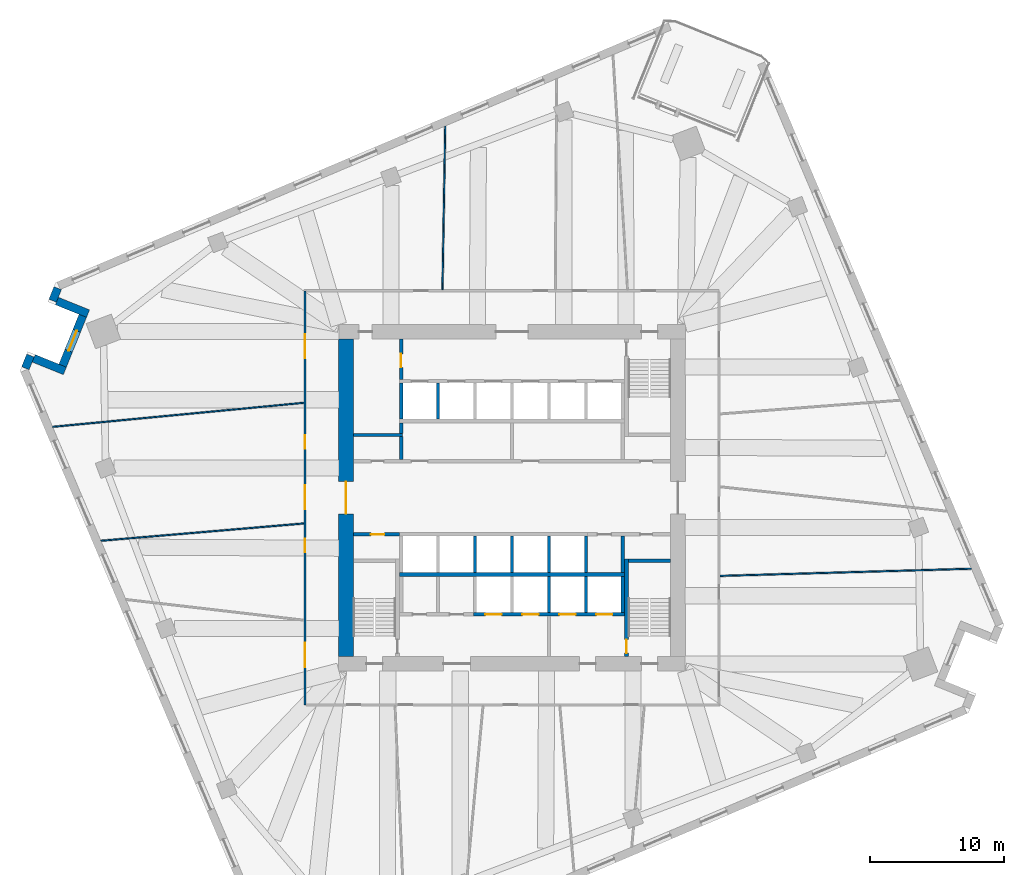
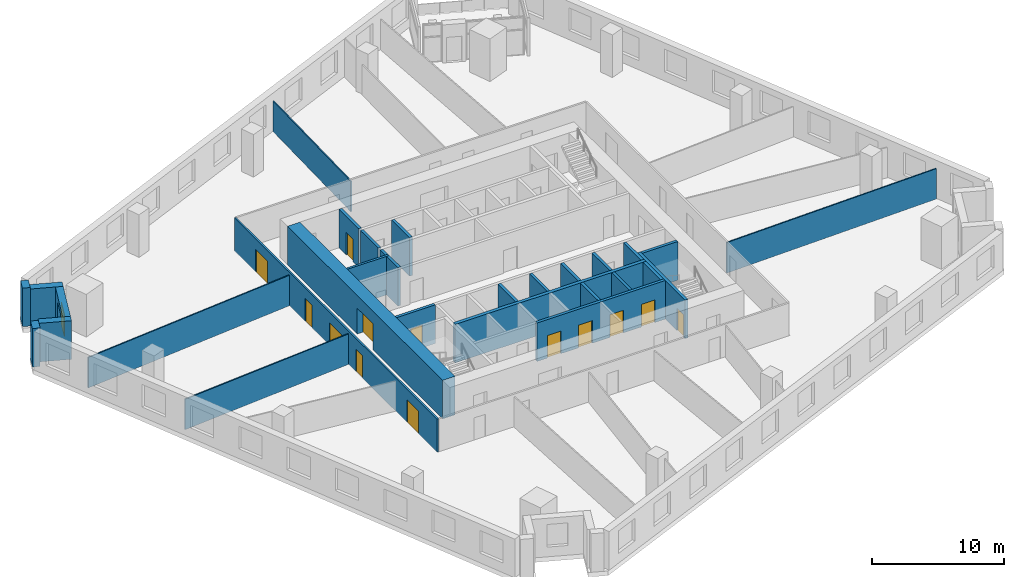
# One storey, part 7 of 12: 30 walls, 13 doors, 1 window, 14 openings.
"""IFC4 building model written with IfcOpenShell, lengths in metres."""

from ifc_helpers import new_model, si_unit, direction, frame, frame_2d, origin, place, context, subcontext, project, spatial, rectangle, extrude, material, layer, layer_set, type_object, element, fill, save


model = new_model("IFC4")

# Units and contexts
model_context = context("Model", 3, precision=1e-05, world=origin(), true_north=direction((0.0, 1.0)))
body_context = subcontext(model_context, "Body", "Model", "MODEL_VIEW")
ifc_project = project(units=[si_unit("LENGTHUNIT", "METRE"), si_unit("AREAUNIT", "SQUARE_METRE"), si_unit("VOLUMEUNIT", "CUBIC_METRE"), si_unit("PLANEANGLEUNIT", "RADIAN"), si_unit("MASSUNIT", "GRAM", prefix="KILO")], contexts=[model_context])

# Site, building, storey
site_placement = place(None, origin())
site = spatial("IfcSite", under=ifc_project, at=site_placement, CompositionType="ELEMENT")
building_placement = place(site_placement, origin())
building = spatial("IfcBuilding", under=site, at=building_placement, Name="Dilmun Exchange Tower", CompositionType="ELEMENT")
storey_placement = place(building_placement, frame((0.0, 0.0, 118.10009765625)))
storey = spatial("IfcBuildingStorey", under=building, at=storey_placement, Name="L27", CompositionType="ELEMENT", Elevation=118.10009765625)

# Walls
ifc_material_1 = material(Name="Concrete C40/50", Category="concrete")
ifc_layer_1 = layer(ifc_material_1, 0.199951171875)
ifc_layer_set_1 = layer_set([ifc_layer_1], Name="Concrete C40/50")
wall_type_1 = type_object("IfcWallType", Name="Core partition wall 200", PredefinedType="PARTITIONING", material=ifc_layer_set_1)
wall_1_placement = place(storey_placement, frame((-11.794921875, 4.675048828125, 0.0), z_axis=(0.0, 0.0, 1.0), x_axis=(1.0, 0.0, 0.0)))
element("IfcWall", 1, at=wall_1_placement, inside=storey, type_object=wall_type_1, Name="L27 core partition wall 12", PredefinedType="PARTITIONING", context=body_context, shape_type="SweptSolid", body=[
    extrude(rectangle(XDim=3.64501953125, YDim=0.199951171875, at=frame_2d((1.822509765625, 0.0))), origin(), (0.0, 0.0, 1.0), 3.579833984375),
])
ifc_layer_2 = layer(ifc_material_1, 0.25)
ifc_layer_set_2 = layer_set([ifc_layer_2], Name="Concrete C40/50")
wall_type_2 = type_object("IfcWallType", Name="Core partition wall 250", PredefinedType="PARTITIONING", material=ifc_layer_set_2)
wall_2_placement = place(storey_placement, frame((8.25, -5.544921875, 0.0), z_axis=(0.0, 0.0, 1.0), x_axis=(0.0, 1.0, 0.0)))
element("IfcWall", 2, at=wall_2_placement, inside=storey, type_object=wall_type_2, Name="L27 core partition wall 05", PredefinedType="PARTITIONING", context=body_context, shape_type="SweptSolid", body=[
    extrude(rectangle(XDim=2.68994140625, YDim=0.25, at=frame_2d((1.344970703125, 0.0))), origin(), (0.0, 0.0, 1.0), 3.579833984375),
])

# Wall, opening, door
wall_3_placement = place(storey_placement, frame((-11.794921875, -2.72509765625, 0.0), z_axis=(0.0, 0.0, 1.0), x_axis=(1.0, 0.0, 0.0)))
wall_3 = element("IfcWall", 3, at=wall_3_placement, inside=storey, type_object=wall_type_2, Name="L27 core partition wall 06", PredefinedType="PARTITIONING", context=body_context, shape_type="SweptSolid", body=[
    extrude(rectangle(XDim=3.4150390625, YDim=0.25, at=frame_2d((1.70751953125, 0.0))), origin(), (0.0, 0.0, 1.0), 3.579833984375),
])
opening_1_placement = place(wall_3_placement, frame((1.294921875, 0.0, 0.0)))
opening_1 = element("IfcOpeningElement", 4, at=opening_1_placement, cuts=wall_3, Name="Opening CD4", PredefinedType="OPENING", context=body_context, shape_type="SweptSolid", body=[
    extrude(rectangle(XDim=1.0, YDim=2.10009765625, at=frame_2d((0.5, 1.050048828125))), frame((0.0, 0.135009765625, 0.0), z_axis=(0.0, -1.0, 0.0), x_axis=(1.0, 0.0, 0.0)), (0.0, 0.0, 1.0), 0.27001953125),
])
ifc_material_2 = material(Name="Fire-rated steel door set", Category="steel")
door_type_1 = type_object("IfcDoorType", Name="Core room door 1000x2100", OperationType="SINGLE_SWING_LEFT", PredefinedType="DOOR", material=ifc_material_2)
door_1_placement = place(opening_1_placement, origin())
door_1 = element("IfcDoor", 5, at=door_1_placement, inside=storey, type_object=door_type_1, Name="L27 door Accessible WC", OperationType="SINGLE_SWING_RIGHT", OverallHeight=2.10009765625, OverallWidth=1.0, PredefinedType="DOOR", context=body_context, shape_type="SweptSolid", body=[
    extrude(rectangle(XDim=1.0, YDim=2.10009765625, at=frame_2d((0.5, 1.050048828125))), frame((0.0, 0.02490234375, 0.0), z_axis=(0.0, -1.0, 0.0), x_axis=(1.0, 0.0, 0.0)), (0.0, 0.0, 1.0), 0.050048828125),
])
fill(opening_1, door_1)

# Walls
wall_4_placement = place(storey_placement, frame((-8.25, 2.85498046875, 0.0), z_axis=(0.0, 0.0, 1.0), x_axis=(0.0, 1.0, 0.0)))
element("IfcWall", 6, at=wall_4_placement, inside=storey, type_object=wall_type_2, Name="L27 core partition wall 09", PredefinedType="PARTITIONING", context=body_context, shape_type="SweptSolid", body=[
    extrude(rectangle(XDim=1.715087890625, YDim=0.25, at=frame_2d((0.857421875, 0.0))), origin(), (0.0, 0.0, 1.0), 3.579833984375),
])
wall_5_placement = place(storey_placement, frame((-8.25, 4.780029296875, 0.0), z_axis=(0.0, 0.0, 1.0), x_axis=(0.0, 1.0, 0.0)))
element("IfcWall", 7, at=wall_5_placement, inside=storey, type_object=wall_type_2, Name="L27 core partition wall 13", PredefinedType="PARTITIONING", context=body_context, shape_type="SweptSolid", body=[
    extrude(rectangle(XDim=0.764892578125, YDim=0.25, at=frame_2d((0.38232421875, 0.0))), origin(), (0.0, 0.0, 1.0), 3.579833984375),
])

# Wall, opening, door
wall_6_placement = place(storey_placement, frame((-8.25, 8.804931640625, 0.0), z_axis=(0.0, 0.0, 1.0), x_axis=(0.0, 1.0, 0.0)))
wall_6 = element("IfcWall", 8, at=wall_6_placement, inside=storey, type_object=wall_type_2, Name="L27 core partition wall 14", PredefinedType="PARTITIONING", context=body_context, shape_type="SweptSolid", body=[
    extrude(rectangle(XDim=2.989990234375, YDim=0.25, at=frame_2d((1.4951171875, 0.0))), origin(), (0.0, 0.0, 1.0), 3.579833984375),
])
opening_2_placement = place(wall_6_placement, frame((0.89501953125, 0.0, 0.0)))
opening_2 = element("IfcOpeningElement", 9, at=opening_2_placement, cuts=wall_6, Name="Opening CD4", PredefinedType="OPENING", context=body_context, shape_type="SweptSolid", body=[
    extrude(rectangle(XDim=1.0, YDim=2.10009765625, at=frame_2d((0.5, 1.050048828125))), frame((0.0, 0.135009765625, 0.0), z_axis=(0.0, -1.0, 0.0), x_axis=(1.0, 0.0, 0.0)), (0.0, 0.0, 1.0), 0.27001953125),
])
door_2_placement = place(opening_2_placement, origin())
door_2 = element("IfcDoor", 10, at=door_2_placement, inside=storey, type_object=door_type_1, Name="L27 door Building services room", OperationType="SINGLE_SWING_RIGHT", OverallHeight=2.10009765625, OverallWidth=1.0, PredefinedType="DOOR", context=body_context, shape_type="SweptSolid", body=[
    extrude(rectangle(XDim=1.0, YDim=2.10009765625, at=frame_2d((0.5, 1.050048828125))), frame((0.0, 0.02490234375, 0.0), z_axis=(0.0, -1.0, 0.0), x_axis=(1.0, 0.0, 0.0)), (0.0, 0.0, 1.0), 0.050048828125),
])
fill(opening_2, door_2)

ifc_material_3 = material(Name="Concrete C80/95", Category="concrete")
ifc_layer_3 = layer(ifc_material_3, 1.10009765625)
ifc_layer_set_3 = layer_set([ifc_layer_3], Name="Concrete C80/95")
wall_type_3 = type_object("IfcWallType", Name="Core shear wall 1100 Concrete C80/95", PredefinedType="SHEAR", material=ifc_layer_set_3)
wall_7_placement = place(storey_placement, frame((-12.35009765625, -11.800048828125, 0.0), z_axis=(0.0, 0.0, 1.0), x_axis=(0.0, 1.0, 0.0)))
wall_7 = element("IfcWall", 11, at=wall_7_placement, inside=storey, type_object=wall_type_3, Name="L27 core shear wall W", PredefinedType="SHEAR", context=body_context, shape_type="SweptSolid", body=[
    extrude(rectangle(XDim=23.60009765625, YDim=1.10009765625, at=frame_2d((11.800048828125, 0.0))), origin(), (0.0, 0.0, 1.0), 3.579833984375),
])
opening_3_placement = place(wall_7_placement, frame((10.60009765625, 0.0, 0.0)))
opening_3 = element("IfcOpeningElement", 12, at=opening_3_placement, cuts=wall_7, Name="Opening CD1", PredefinedType="OPENING", context=body_context, shape_type="SweptSolid", body=[
    extrude(rectangle(XDim=2.39990234375, YDim=2.39990234375, at=frame_2d((1.199951171875, 1.199951171875))), frame((0.0, 0.56005859375, 0.0), z_axis=(0.0, -1.0, 0.0), x_axis=(1.0, 0.0, 0.0)), (0.0, 0.0, 1.0), 1.1201171875),
])
door_type_2 = type_object("IfcDoorType", Name="Core lobby door 2400x2400", OperationType="DOUBLE_DOOR_DOUBLE_SWING", PredefinedType="DOOR", material=ifc_material_2)
door_3_placement = place(opening_3_placement, origin())
door_3 = element("IfcDoor", 13, at=door_3_placement, inside=storey, type_object=door_type_2, Name="L27 door Central lift lobby", OperationType="SINGLE_SWING_LEFT", OverallHeight=2.39990234375, OverallWidth=2.39990234375, PredefinedType="DOOR", context=body_context, shape_type="SweptSolid", body=[
    extrude(rectangle(XDim=2.39990234375, YDim=2.39990234375, at=frame_2d((1.199951171875, 1.199951171875))), frame((0.0, 0.02490234375, 0.0), z_axis=(0.0, -1.0, 0.0), x_axis=(1.0, 0.0, 0.0)), (0.0, 0.0, 1.0), 0.050048828125),
])
fill(opening_3, door_3)

# Wall, openings, doors
ifc_material_4 = material(Name="Corridor wall 150")
ifc_layer_4 = layer(ifc_material_4, 0.14990234375)
ifc_layer_set_4 = layer_set([ifc_layer_4], Name="Corridor wall 150")
wall_type_4 = type_object("IfcWallType", Name="Corridor wall 150", PredefinedType="PARTITIONING", material=ifc_layer_set_4)
wall_8_placement = place(storey_placement, frame((-15.39990234375, -15.39990234375, 0.0), z_axis=(0.0, 0.0, 1.0), x_axis=(0.0, 1.0, 0.0)))
wall_8 = element("IfcWall", 14, at=wall_8_placement, inside=storey, type_object=wall_type_4, Name="Corridor wall", PredefinedType="PARTITIONING", context=body_context, shape_type="SweptSolid", body=[
    extrude(rectangle(XDim=30.7998046875, YDim=0.14990234375, at=frame_2d((15.39990234375, 0.0))), origin(), (0.0, 0.0, 1.0), 3.079833984375),
])
opening_4_placement = place(wall_8_placement, frame((14.541015625, 0.0, 0.0)))
opening_4 = element("IfcOpeningElement", 15, at=opening_4_placement, cuts=wall_8, Name="Opening TF26-D01", PredefinedType="OPENING", context=body_context, shape_type="SweptSolid", body=[
    extrude(rectangle(XDim=1.800048828125, YDim=2.10009765625, at=frame_2d((0.89990234375, 1.050048828125))), frame((0.0, 0.0849609375, 0.0), z_axis=(0.0, -1.0, 0.0), x_axis=(1.0, 0.0, 0.0)), (0.0, 0.0, 1.0), 0.169921875),
])
opening_5_placement = place(wall_8_placement, frame((19.041015625, 0.0, 0.0)))
opening_5 = element("IfcOpeningElement", 16, at=opening_5_placement, cuts=wall_8, Name="Opening TF26-D02", PredefinedType="OPENING", context=body_context, shape_type="SweptSolid", body=[
    extrude(rectangle(XDim=1.0, YDim=2.10009765625, at=frame_2d((0.5, 1.050048828125))), frame((0.0, 0.0849609375, 0.0), z_axis=(0.0, -1.0, 0.0), x_axis=(1.0, 0.0, 0.0)), (0.0, 0.0, 1.0), 0.169921875),
])
opening_6_placement = place(wall_8_placement, frame((11.33349609375, 0.0, 0.0)))
opening_6 = element("IfcOpeningElement", 17, at=opening_6_placement, cuts=wall_8, Name="Opening TF26-D03", PredefinedType="OPENING", context=body_context, shape_type="SweptSolid", body=[
    extrude(rectangle(XDim=1.0, YDim=2.10009765625, at=frame_2d((0.5, 1.050048828125))), frame((0.0, 0.0849609375, 0.0), z_axis=(0.0, -1.0, 0.0), x_axis=(1.0, 0.0, 0.0)), (0.0, 0.0, 1.0), 0.169921875),
])
opening_7_placement = place(wall_8_placement, frame((25.76953125, 0.0, 0.0)))
opening_7 = element("IfcOpeningElement", 18, at=opening_7_placement, cuts=wall_8, Name="Opening TF26-D04", PredefinedType="OPENING", context=body_context, shape_type="SweptSolid", body=[
    extrude(rectangle(XDim=1.800048828125, YDim=2.10009765625, at=frame_2d((0.89990234375, 1.050048828125))), frame((0.0, 0.0849609375, 0.0), z_axis=(0.0, -1.0, 0.0), x_axis=(1.0, 0.0, 0.0)), (0.0, 0.0, 1.0), 0.169921875),
])
opening_8_placement = place(wall_8_placement, frame((2.800048828125, 0.0, 0.0)))
opening_8 = element("IfcOpeningElement", 19, at=opening_8_placement, cuts=wall_8, Name="Opening TF26-D06", PredefinedType="OPENING", context=body_context, shape_type="SweptSolid", body=[
    extrude(rectangle(XDim=1.800048828125, YDim=2.10009765625, at=frame_2d((0.89990234375, 1.050048828125))), frame((0.0, 0.0849609375, 0.0), z_axis=(0.0, -1.0, 0.0), x_axis=(1.0, 0.0, 0.0)), (0.0, 0.0, 1.0), 0.169921875),
])
ifc_material_5 = material(Name="Fire door 1000 x 2100")
door_type_3 = type_object("IfcDoorType", Name="Fire door 1000 x 2100", OperationType="NOTDEFINED", PredefinedType="DOOR", material=ifc_material_5)
door_4_placement = place(opening_5_placement, origin())
door_4 = element("IfcDoor", 20, at=door_4_placement, inside=storey, type_object=door_type_3, Name="Door TF26-D02", OperationType="SINGLE_SWING_LEFT", OverallHeight=2.10009765625, OverallWidth=1.0, PredefinedType="DOOR", context=body_context, shape_type="SweptSolid", body=[
    extrude(rectangle(XDim=1.0, YDim=2.10009765625, at=frame_2d((0.5, 1.050048828125))), frame((0.0, 0.02490234375, 0.0), z_axis=(0.0, -1.0, 0.0), x_axis=(1.0, 0.0, 0.0)), (0.0, 0.0, 1.0), 0.050048828125),
])
fill(opening_5, door_4)
door_5_placement = place(opening_6_placement, origin())
door_5 = element("IfcDoor", 21, at=door_5_placement, inside=storey, type_object=door_type_3, Name="Door TF26-D03", OperationType="SINGLE_SWING_RIGHT", OverallHeight=2.10009765625, OverallWidth=1.0, PredefinedType="DOOR", context=body_context, shape_type="SweptSolid", body=[
    extrude(rectangle(XDim=1.0, YDim=2.10009765625, at=frame_2d((0.5, 1.050048828125))), frame((0.0, 0.02490234375, 0.0), z_axis=(0.0, -1.0, 0.0), x_axis=(1.0, 0.0, 0.0)), (0.0, 0.0, 1.0), 0.050048828125),
])
fill(opening_6, door_5)
ifc_material_6 = material(Name="Fire door pair 1800 x 2100")
door_type_4 = type_object("IfcDoorType", Name="Fire door pair 1800 x 2100", OperationType="NOTDEFINED", PredefinedType="DOOR", material=ifc_material_6)
door_6_placement = place(opening_4_placement, origin())
door_6 = element("IfcDoor", 22, at=door_6_placement, inside=storey, type_object=door_type_4, Name="Door TF26-D01", OperationType="DOUBLE_DOOR_SINGLE_SWING", OverallHeight=2.10009765625, OverallWidth=1.800048828125, PredefinedType="DOOR", context=body_context, shape_type="SweptSolid", body=[
    extrude(rectangle(XDim=1.800048828125, YDim=2.10009765625, at=frame_2d((0.89990234375, 1.050048828125))), frame((0.0, 0.02490234375, 0.0), z_axis=(0.0, -1.0, 0.0), x_axis=(1.0, 0.0, 0.0)), (0.0, 0.0, 1.0), 0.050048828125),
])
fill(opening_4, door_6)
door_7_placement = place(opening_7_placement, origin())
door_7 = element("IfcDoor", 23, at=door_7_placement, inside=storey, type_object=door_type_4, Name="Door TF26-D04", OperationType="DOUBLE_DOOR_SINGLE_SWING", OverallHeight=2.10009765625, OverallWidth=1.800048828125, PredefinedType="DOOR", context=body_context, shape_type="SweptSolid", body=[
    extrude(rectangle(XDim=1.800048828125, YDim=2.10009765625, at=frame_2d((0.89990234375, 1.050048828125))), frame((0.0, 0.02490234375, 0.0), z_axis=(0.0, -1.0, 0.0), x_axis=(1.0, 0.0, 0.0)), (0.0, 0.0, 1.0), 0.050048828125),
])
fill(opening_7, door_7)
door_8_placement = place(opening_8_placement, origin())
door_8 = element("IfcDoor", 24, at=door_8_placement, inside=storey, type_object=door_type_4, Name="Door TF26-D06", OperationType="DOUBLE_DOOR_SINGLE_SWING", OverallHeight=2.10009765625, OverallWidth=1.800048828125, PredefinedType="DOOR", context=body_context, shape_type="SweptSolid", body=[
    extrude(rectangle(XDim=1.800048828125, YDim=2.10009765625, at=frame_2d((0.89990234375, 1.050048828125))), frame((0.0, 0.02490234375, 0.0), z_axis=(0.0, -1.0, 0.0), x_axis=(1.0, 0.0, 0.0)), (0.0, 0.0, 1.0), 0.050048828125),
])
fill(opening_8, door_8)

# Walls
ifc_layer_5 = layer(ifc_material_1, 0.300048828125)
ifc_layer_set_5 = layer_set([ifc_layer_5], Name="Concrete C40/50")
wall_type_5 = type_object("IfcWallType", Name="Lift shaft shared wall 300", PredefinedType="SOLIDWALL", material=ifc_layer_set_5)
wall_9_placement = place(storey_placement, frame((-8.375, -5.699951171875, 0.0), z_axis=(0.0, 0.0, 1.0), x_axis=(1.0, 0.0, 0.0)))
element("IfcWall", 25, at=wall_9_placement, inside=storey, type_object=wall_type_5, Name="L27 lift shaft rear wall S", PredefinedType="SOLIDWALL", context=body_context, shape_type="SweptSolid", body=[
    extrude(rectangle(XDim=16.75, YDim=0.300048828125, at=frame_2d((8.375, 0.0))), origin(), (0.0, 0.0, 1.0), 3.579833984375),
])
ifc_layer_6 = layer(ifc_material_1, 0.25)
ifc_layer_set_6 = layer_set([ifc_layer_6], Name="Concrete C40/50")
wall_type_6 = type_object("IfcWallType", Name="Lift shaft wall 250", PredefinedType="SOLIDWALL", material=ifc_layer_set_6)
for number, where, z_axis, x_axis, name in (
    (26, (-8.25, 5.85009765625, 0.0), (0.0, 0.0, 1.0), (0.0, 1.0, 0.0), "L27 lift shaft divider N20"),
    (27, (-5.5, 5.85009765625, 0.0), (0.0, 0.0, 1.0), (0.0, 1.0, 0.0), "L27 lift shaft divider N21"),
    (28, (-2.75, -5.550048828125, 0.0), (0.0, 0.0, 1.0), (0.0, 1.0, 0.0), "L27 lift shaft divider S12"),
    (29, (0.0, -5.550048828125, 0.0), (0.0, 0.0, 1.0), (0.0, 1.0, 0.0), "L27 lift shaft divider S13"),
    (30, (2.75, -5.550048828125, 0.0), (0.0, 0.0, 1.0), (0.0, 1.0, 0.0), "L27 lift shaft divider S14"),
    (31, (5.5, -5.550048828125, 0.0), (0.0, 0.0, 1.0), (0.0, 1.0, 0.0), "L27 lift shaft divider S15"),
):
    element("IfcWall", number, at=place(storey_placement, frame(where, z_axis=z_axis, x_axis=x_axis)), inside=storey, type_object=wall_type_6, Name=name, PredefinedType="SOLIDWALL", context=body_context, shape_type="SweptSolid", body=[
        extrude(rectangle(XDim=2.699951171875, YDim=0.25, at=frame_2d((1.35009765625, 0.0))), origin(), (0.0, 0.0, 1.0), 3.579833984375),
    ])

# Wall, openings, doors
wall_10_placement = place(storey_placement, frame((-2.875, -8.675048828125, 0.0), z_axis=(0.0, 0.0, 1.0), x_axis=(1.0, 0.0, 0.0)))
wall_10 = element("IfcWall", 32, at=wall_10_placement, inside=storey, type_object=wall_type_6, Name="L27 lift shaft front wall S2", PredefinedType="SOLIDWALL", context=body_context, shape_type="SweptSolid", body=[
    extrude(rectangle(XDim=11.25, YDim=0.25, at=frame_2d((5.625, 0.0))), origin(), (0.0, 0.0, 1.0), 3.579833984375),
])
opening_9_placement = place(wall_10_placement, frame((0.89990234375, 0.0, 0.0)))
opening_9 = element("IfcOpeningElement", 33, at=opening_9_placement, cuts=wall_10, Name="Opening LD", PredefinedType="OPENING", context=body_context, shape_type="SweptSolid", body=[
    extrude(rectangle(XDim=1.199951171875, YDim=2.10009765625, at=frame_2d((0.60009765625, 1.050048828125))), frame((0.0, 0.135009765625, 0.0), z_axis=(0.0, -1.0, 0.0), x_axis=(1.0, 0.0, 0.0)), (0.0, 0.0, 1.0), 0.27001953125),
])
opening_10_placement = place(wall_10_placement, frame((3.64990234375, 0.0, 0.0)))
opening_10 = element("IfcOpeningElement", 34, at=opening_10_placement, cuts=wall_10, Name="Opening LD", PredefinedType="OPENING", context=body_context, shape_type="SweptSolid", body=[
    extrude(rectangle(XDim=1.199951171875, YDim=2.10009765625, at=frame_2d((0.60009765625, 1.050048828125))), frame((0.0, 0.135009765625, 0.0), z_axis=(0.0, -1.0, 0.0), x_axis=(1.0, 0.0, 0.0)), (0.0, 0.0, 1.0), 0.27001953125),
])
opening_11_placement = place(wall_10_placement, frame((6.39990234375, 0.0, 0.0)))
opening_11 = element("IfcOpeningElement", 35, at=opening_11_placement, cuts=wall_10, Name="Opening LD", PredefinedType="OPENING", context=body_context, shape_type="SweptSolid", body=[
    extrude(rectangle(XDim=1.199951171875, YDim=2.10009765625, at=frame_2d((0.60009765625, 1.050048828125))), frame((0.0, 0.135009765625, 0.0), z_axis=(0.0, -1.0, 0.0), x_axis=(1.0, 0.0, 0.0)), (0.0, 0.0, 1.0), 0.27001953125),
])
opening_12_placement = place(wall_10_placement, frame((9.14990234375, 0.0, 0.0)))
opening_12 = element("IfcOpeningElement", 36, at=opening_12_placement, cuts=wall_10, Name="Opening LD", PredefinedType="OPENING", context=body_context, shape_type="SweptSolid", body=[
    extrude(rectangle(XDim=1.199951171875, YDim=2.10009765625, at=frame_2d((0.60009765625, 1.050048828125))), frame((0.0, 0.135009765625, 0.0), z_axis=(0.0, -1.0, 0.0), x_axis=(1.0, 0.0, 0.0)), (0.0, 0.0, 1.0), 0.27001953125),
])
door_type_5 = type_object("IfcDoorType", Name="Lift landing door 1200x2100", OperationType="DOUBLE_DOOR_SLIDING", PredefinedType="DOOR", material=ifc_material_2)
door_9_placement = place(opening_9_placement, origin())
door_9 = element("IfcDoor", 37, at=door_9_placement, inside=storey, type_object=door_type_5, Name="L27 landing door SV1", OperationType="DOUBLE_DOOR_SLIDING", OverallHeight=2.10009765625, OverallWidth=1.199951171875, PredefinedType="DOOR", context=body_context, shape_type="SweptSolid", body=[
    extrude(rectangle(XDim=1.199951171875, YDim=2.10009765625, at=frame_2d((0.60009765625, 1.050048828125))), frame((0.0, 0.02490234375, 0.0), z_axis=(0.0, -1.0, 0.0), x_axis=(1.0, 0.0, 0.0)), (0.0, 0.0, 1.0), 0.050048828125),
])
fill(opening_9, door_9)
door_10_placement = place(opening_10_placement, origin())
door_10 = element("IfcDoor", 38, at=door_10_placement, inside=storey, type_object=door_type_5, Name="L27 landing door SV2", OperationType="DOUBLE_DOOR_SLIDING", OverallHeight=2.10009765625, OverallWidth=1.199951171875, PredefinedType="DOOR", context=body_context, shape_type="SweptSolid", body=[
    extrude(rectangle(XDim=1.199951171875, YDim=2.10009765625, at=frame_2d((0.60009765625, 1.050048828125))), frame((0.0, 0.02490234375, 0.0), z_axis=(0.0, -1.0, 0.0), x_axis=(1.0, 0.0, 0.0)), (0.0, 0.0, 1.0), 0.050048828125),
])
fill(opening_10, door_10)
door_11_placement = place(opening_11_placement, origin())
door_11 = element("IfcDoor", 39, at=door_11_placement, inside=storey, type_object=door_type_5, Name="L27 landing door FF1", OperationType="DOUBLE_DOOR_SLIDING", OverallHeight=2.10009765625, OverallWidth=1.199951171875, PredefinedType="DOOR", context=body_context, shape_type="SweptSolid", body=[
    extrude(rectangle(XDim=1.199951171875, YDim=2.10009765625, at=frame_2d((0.60009765625, 1.050048828125))), frame((0.0, 0.02490234375, 0.0), z_axis=(0.0, -1.0, 0.0), x_axis=(1.0, 0.0, 0.0)), (0.0, 0.0, 1.0), 0.050048828125),
])
fill(opening_11, door_11)
door_12_placement = place(opening_12_placement, origin())
door_12 = element("IfcDoor", 40, at=door_12_placement, inside=storey, type_object=door_type_5, Name="L27 landing door FF2", OperationType="DOUBLE_DOOR_SLIDING", OverallHeight=2.10009765625, OverallWidth=1.199951171875, PredefinedType="DOOR", context=body_context, shape_type="SweptSolid", body=[
    extrude(rectangle(XDim=1.199951171875, YDim=2.10009765625, at=frame_2d((0.60009765625, 1.050048828125))), frame((0.0, 0.02490234375, 0.0), z_axis=(0.0, -1.0, 0.0), x_axis=(1.0, 0.0, 0.0)), (0.0, 0.0, 1.0), 0.050048828125),
])
fill(opening_12, door_12)

# Walls
for number, where, z_axis, x_axis, name in (
    (41, (2.75, -8.550048828125, 0.0), (0.0, 0.0, 1.0), (0.0, 1.0, 0.0), "L27 lift shaft divider S24"),
    (42, (5.5, -8.550048828125, 0.0), (0.0, 0.0, 1.0), (0.0, 1.0, 0.0), "L27 lift shaft divider S25"),
    (43, (8.25, -8.550048828125, 0.0), (0.0, 0.0, 1.0), (0.0, 1.0, 0.0), "L27 lift shaft divider S26"),
):
    element("IfcWall", number, at=place(storey_placement, frame(where, z_axis=z_axis, x_axis=x_axis)), inside=storey, type_object=wall_type_6, Name=name, PredefinedType="SOLIDWALL", context=body_context, shape_type="SweptSolid", body=[
        extrude(rectangle(XDim=2.699951171875, YDim=0.25, at=frame_2d((1.35009765625, 0.0))), origin(), (0.0, 0.0, 1.0), 3.579833984375),
    ])
ifc_material_7 = material(Name="Partition 100")
ifc_layer_7 = layer(ifc_material_7, 0.10009765625)
ifc_layer_set_7 = layer_set([ifc_layer_7], Name="Partition 100")
wall_type_7 = type_object("IfcWallType", Name="Partition 100", PredefinedType="PARTITIONING", material=ifc_layer_set_7)
wall_11_placement = place(storey_placement, frame((-34.176025390625, 5.275146484375, 0.0), z_axis=(0.0, 0.0, 1.0), x_axis=(0.995446676351, 0.095320063694, 0.0)))
element("IfcWall", 44, at=wall_11_placement, inside=storey, type_object=wall_type_7, Name="Partition", PredefinedType="PARTITIONING", context=body_context, shape_type="SweptSolid", body=[
    extrude(rectangle(XDim=18.78173828125, YDim=0.10009765625, at=frame_2d((9.390869140625, 0.0))), origin(), (0.0, 0.0, 1.0), 2.829833984375),
])
wall_12_placement = place(storey_placement, frame((-30.57861328125, -3.2001953125, 0.0), z_axis=(0.0, 0.0, 1.0), x_axis=(0.996379708723, 0.085014563729, 0.0)))
element("IfcWall", 45, at=wall_12_placement, inside=storey, type_object=wall_type_7, Name="Partition", PredefinedType="PARTITIONING", context=body_context, shape_type="SweptSolid", body=[
    extrude(rectangle(XDim=15.154296875, YDim=0.10009765625, at=frame_2d((7.5771484375, 0.0))), origin(), (0.0, 0.0, 1.0), 2.829833984375),
])
wall_13_placement = place(storey_placement, frame((-5.173583984375, 15.475830078125, 0.0), z_axis=(0.0, 0.0, 1.0), x_axis=(0.016875741067, 0.999857594542, 0.0)))
element("IfcWall", 46, at=wall_13_placement, inside=storey, type_object=wall_type_7, Name="Partition", PredefinedType="PARTITIONING", context=body_context, shape_type="SweptSolid", body=[
    extrude(rectangle(XDim=12.18115234375, YDim=0.10009765625, at=frame_2d((6.090576171875, 0.0))), origin(), (0.0, 0.0, 1.0), 2.829833984375),
])
wall_14_placement = place(storey_placement, frame((15.476318359375, -5.814697265625, 0.0), z_axis=(0.0, 0.0, 1.0), x_axis=(0.99959082954, 0.028603732257, 0.0)))
element("IfcWall", 47, at=wall_14_placement, inside=storey, type_object=wall_type_7, Name="Partition", PredefinedType="PARTITIONING", context=body_context, shape_type="SweptSolid", body=[
    extrude(rectangle(XDim=18.709228515625, YDim=0.10009765625, at=frame_2d((9.3544921875, 0.0))), origin(), (0.0, 0.0, 1.0), 2.829833984375),
])
ifc_material_8 = material(Name="Precast concrete C50/60", Category="concrete")
ifc_layer_8 = layer(ifc_material_8, 0.60009765625)
ifc_layer_set_8 = layer_set([ifc_layer_8], Name="Precast concrete C50/60")
wall_type_8 = type_object("IfcWallType", Name="Precast stone-clad wall 600", PredefinedType="STANDARD", material=ifc_layer_set_8)
wall_15_placement = place(storey_placement, frame((-33.79638671875, 15.5927734375, 0.0), z_axis=(0.0, 0.0, 1.0), x_axis=(-0.374718526687, -0.92713862273, 0.0)))
element("IfcWall", 48, at=wall_15_placement, inside=storey, type_object=wall_type_8, Name="Facade wall L27-04", PredefinedType="STANDARD", context=body_context, shape_type="SweptSolid", body=[
    extrude(rectangle(XDim=1.01123046875, YDim=0.60009765625, at=frame_2d((0.505615234375, 0.0))), origin(), (0.0, 0.0, 1.0), 3.579833984375),
])
wall_16_placement = place(storey_placement, frame((-33.859619140625, 14.635498046875, 0.0), z_axis=(0.0, 0.0, 1.0), x_axis=(0.927177918056, -0.374621286461, 0.0)))
element("IfcWall", 49, at=wall_16_placement, inside=storey, type_object=wall_type_8, Name="Facade wall L27-05", PredefinedType="STANDARD", context=body_context, shape_type="SweptSolid", body=[
    extrude(rectangle(XDim=2.5, YDim=0.60009765625, at=frame_2d((1.25, 0.0))), origin(), (0.0, 0.0, 1.0), 3.579833984375),
])

# Wall, opening, window
wall_17_placement = place(storey_placement, frame((-31.93212890625, 13.533203125, 0.0), z_axis=(0.0, 0.0, 1.0), x_axis=(-0.374629554127, -0.927174577507, 0.0)))
wall_17 = element("IfcWall", 50, at=wall_17_placement, inside=storey, type_object=wall_type_8, Name="Facade wall L27-06", PredefinedType="STANDARD", context=body_context, shape_type="SweptSolid", body=[
    extrude(rectangle(XDim=4.0, YDim=0.60009765625, at=frame_2d((2.0, 0.0))), origin(), (0.0, 0.0, 1.0), 3.579833984375),
])
opening_13_placement = place(wall_17_placement, frame((1.199951171875, 0.0, 0.89990234375)))
opening_13 = element("IfcOpeningElement", 51, at=opening_13_placement, cuts=wall_17, Name="Opening W160-210", PredefinedType="OPENING", context=body_context, shape_type="SweptSolid", body=[
    extrude(rectangle(XDim=1.60009765625, YDim=2.10009765625, at=frame_2d((0.800048828125, 1.050048828125))), frame((0.0, 0.31005859375, 0.0), z_axis=(0.0, -1.0, 0.0), x_axis=(1.0, 0.0, 0.0)), (0.0, 0.0, 1.0), 0.6201171875),
])
ifc_material_9 = material(Name="Clear low-emissivity glass in aluminium frame", Category="aluminium")
window_type = type_object("IfcWindowType", Name="Punched window 1600 x 2100", PartitioningType="DOUBLE_PANEL_VERTICAL", PredefinedType="WINDOW", material=ifc_material_9)
window_placement = place(opening_13_placement, origin())
window = element("IfcWindow", 52, at=window_placement, inside=storey, type_object=window_type, Name="Window 7.1", OverallHeight=2.10009765625, OverallWidth=1.60009765625, PartitioningType="SINGLE_PANEL", PredefinedType="WINDOW", context=body_context, shape_type="SweptSolid", body=[
    extrude(rectangle(XDim=1.60009765625, YDim=2.10009765625, at=frame_2d((0.800048828125, 1.050048828125))), frame((0.0, 0.030029296875, 0.0), z_axis=(0.0, -1.0, 0.0), x_axis=(1.0, 0.0, 0.0)), (0.0, 0.0, 1.0), 0.06005859375),
])
fill(opening_13, window)

# Walls
wall_18_placement = place(storey_placement, frame((-33.264892578125, 9.43408203125, 0.0), z_axis=(0.0, 0.0, 1.0), x_axis=(-0.927177918056, 0.374621286461, 0.0)))
element("IfcWall", 53, at=wall_18_placement, inside=storey, type_object=wall_type_8, Name="Facade wall L27-07", PredefinedType="STANDARD", context=body_context, shape_type="SweptSolid", body=[
    extrude(rectangle(XDim=2.5, YDim=0.60009765625, at=frame_2d((1.25, 0.0))), origin(), (0.0, 0.0, 1.0), 3.579833984375),
])
wall_19_placement = place(storey_placement, frame((-35.823486328125, 10.57568359375, 0.0), z_axis=(0.0, 0.0, 1.0), x_axis=(-0.374634662987, -0.92717251323, 0.0)))
element("IfcWall", 54, at=wall_19_placement, inside=storey, type_object=wall_type_8, Name="Facade wall L27-08", PredefinedType="STANDARD", context=body_context, shape_type="SweptSolid", body=[
    extrude(rectangle(XDim=1.011474609375, YDim=0.60009765625, at=frame_2d((0.505859375, 0.0))), origin(), (0.0, 0.0, 1.0), 3.579833984375),
])
ifc_layer_9 = layer(ifc_material_1, 0.25)
ifc_layer_set_9 = layer_set([ifc_layer_9], Name="Concrete C40/50")
wall_type_9 = type_object("IfcWallType", Name="Stair end wall 250", PredefinedType="SOLIDWALL", material=ifc_layer_set_9)
wall_20_placement = place(storey_placement, frame((8.64990234375, -4.675048828125, 0.0), z_axis=(0.0, 0.0, 1.0), x_axis=(1.0, 0.0, 0.0)))
element("IfcWall", 55, at=wall_20_placement, inside=storey, type_object=wall_type_9, Name="L27 ST3 far wall", PredefinedType="SOLIDWALL", context=body_context, shape_type="SweptSolid", body=[
    extrude(rectangle(XDim=3.150146484375, YDim=0.25, at=frame_2d((1.5751953125, 0.0))), origin(), (0.0, 0.0, 1.0), 3.579833984375),
])

# Wall, opening, door
ifc_layer_10 = layer(ifc_material_1, 0.27490234375)
ifc_layer_set_10 = layer_set([ifc_layer_10], Name="Concrete C40/50")
wall_type_10 = type_object("IfcWallType", Name="Stair wall 275", PredefinedType="SOLIDWALL", material=ifc_layer_set_10)
wall_21_placement = place(storey_placement, frame((8.512451171875, -4.550048828125, 0.0), z_axis=(0.0, 0.0, 1.0), x_axis=(0.0, -1.0, 0.0)))
wall_21 = element("IfcWall", 56, at=wall_21_placement, inside=storey, type_object=wall_type_10, Name="L27 ST3 wall to lift block", PredefinedType="SOLIDWALL", context=body_context, shape_type="SweptSolid", body=[
    extrude(rectangle(XDim=7.25, YDim=0.27490234375, at=frame_2d((3.625, 0.0))), origin(), (0.0, 0.0, 1.0), 3.579833984375),
])
opening_14_placement = place(wall_21_placement, frame((6.0, 0.0, 0.0)))
opening_14 = element("IfcOpeningElement", 57, at=opening_14_placement, cuts=wall_21, Name="Opening CD4", PredefinedType="OPENING", context=body_context, shape_type="SweptSolid", body=[
    extrude(rectangle(XDim=1.0, YDim=2.10009765625, at=frame_2d((0.5, 1.050048828125))), frame((0.0, 0.1474609375, 0.0), z_axis=(0.0, -1.0, 0.0), x_axis=(1.0, 0.0, 0.0)), (0.0, 0.0, 1.0), 0.294921875),
])
door_13_placement = place(opening_14_placement, origin())
door_13 = element("IfcDoor", 58, at=door_13_placement, inside=storey, type_object=door_type_1, Name="L27 door ST3 from lobby", OperationType="SINGLE_SWING_LEFT", OverallHeight=2.10009765625, OverallWidth=1.0, PredefinedType="DOOR", context=body_context, shape_type="SweptSolid", body=[
    extrude(rectangle(XDim=1.0, YDim=2.10009765625, at=frame_2d((0.5, 1.050048828125))), frame((0.0, 0.02490234375, 0.0), z_axis=(0.0, -1.0, 0.0), x_axis=(1.0, 0.0, 0.0)), (0.0, 0.0, 1.0), 0.050048828125),
])
fill(opening_14, door_13)

save(model, "model.ifc")
